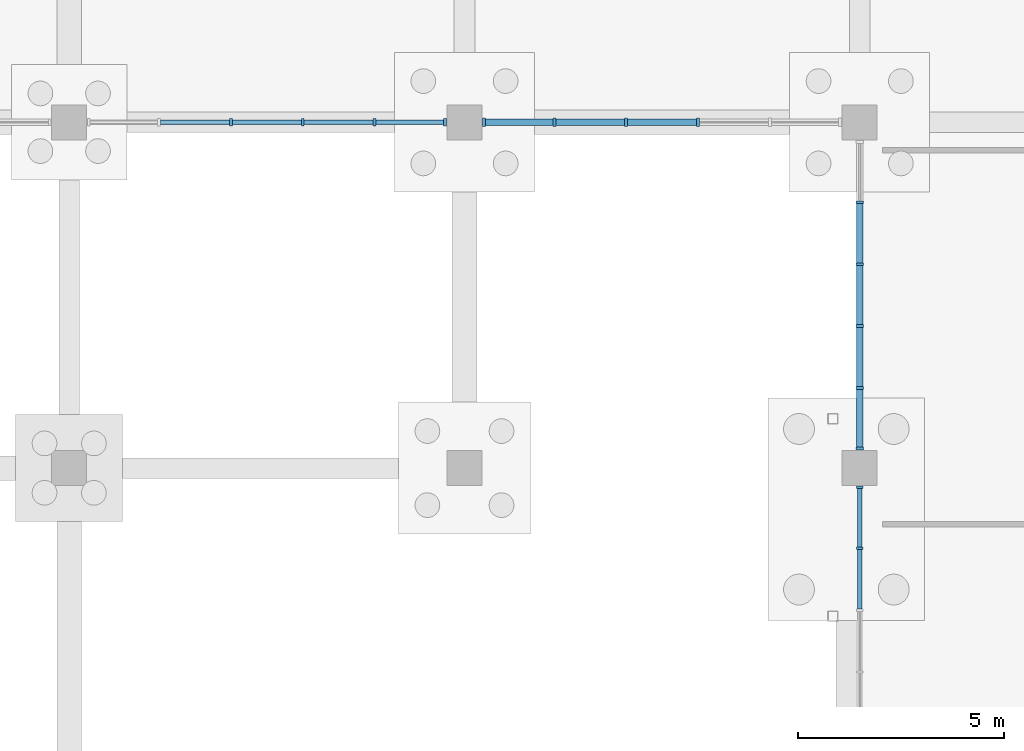
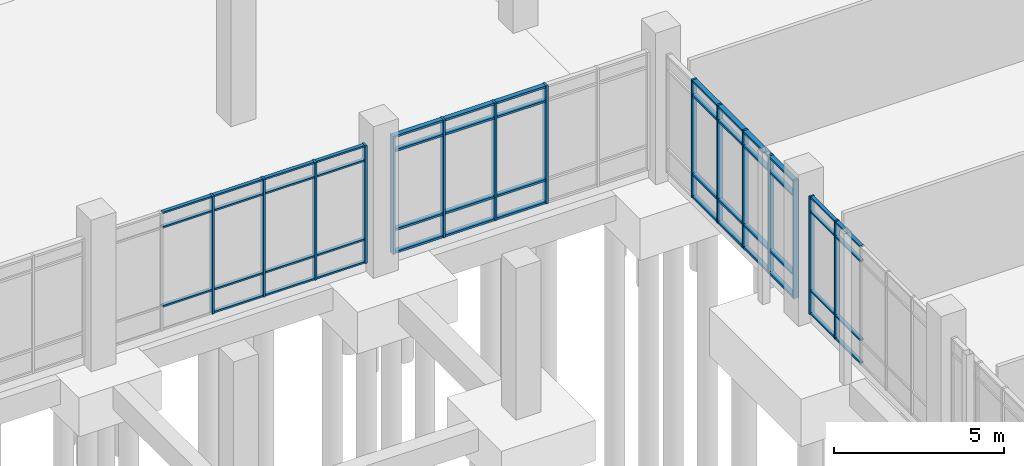
# One storey, part 55 of 136: 66 members, 4 elements without a shape of their own.
"""IFC4 building model written with IfcOpenShell, lengths in metres."""

from ifc_helpers import new_model, si_unit, direction, frame, origin, origin_2d, place, context, subcontext, project, spatial, rectangle, extrude, material, material_profile, profile_set, type_object, element, aggregate, save


model = new_model("IFC4")

# Units and contexts
model_context = context("Model", 3, precision=1e-05, world=origin(), true_north=direction((0.0, 1.0)))
body_context = subcontext(model_context, "Body", "Model", "MODEL_VIEW")
ifc_project = project(units=[si_unit("LENGTHUNIT", "METRE"), si_unit("AREAUNIT", "SQUARE_METRE"), si_unit("VOLUMEUNIT", "CUBIC_METRE"), si_unit("PLANEANGLEUNIT", "RADIAN"), si_unit("MASSUNIT", "GRAM", prefix="KILO")], contexts=[model_context])

# Site, building, storey
site_placement = place(None, origin())
site = spatial("IfcSite", under=ifc_project, at=site_placement, CompositionType="ELEMENT")
building_placement = place(site_placement, origin())
building = spatial("IfcBuilding", under=site, at=building_placement, Name="Oolite Switchyard Hospital", CompositionType="ELEMENT")
storey_placement = place(building_placement, origin())
storey = spatial("IfcBuildingStorey", under=building, at=storey_placement, Name="L00", CompositionType="ELEMENT", Elevation=0.0)

# Curtain wall, members
ifc_material_1 = material(Name="Thermally broken aluminum frame with laminated impact glazing", Category="aluminium")
curtain_wall_type_1 = type_object("IfcCurtainWallType", Name="CW-UNIT-84X51", PredefinedType="USERDEFINED", material=ifc_material_1)
curtain_wall_1_placement = place(storey_placement, origin())
curtain_wall_1 = element("IfcCurtainWall", 1, at=curtain_wall_1_placement, inside=storey, type_object=curtain_wall_type_1, Name="L00 Unitised Curtain Wall 84", ObjectType="UNITISED", PredefinedType="USERDEFINED")
ifc_material_2 = material(Name="Aluminium 6063-T6", Category="aluminium")
ifc_material_profile_1 = material_profile(ifc_material_2, rectangle(XDim=0.159912109375, YDim=0.06005859375, at=origin_2d()), Name="CWM60X160")
ifc_profile_set_1 = profile_set([ifc_material_profile_1], Name="Aluminium 6063-T6")
member_type_1 = type_object("IfcMemberType", Name="CW-MUL-180", PredefinedType="MULLION", material=ifc_profile_set_1)
member_1_placement = place(storey_placement, frame((182.39990234375, 48.4560546875, 0.0), z_axis=(0.0, 0.0, 1.0), x_axis=(-1.0, 0.0, 0.0)))
member_1 = element("IfcMember", 2, at=member_1_placement, type_object=member_type_1, Name="CW-06 mullion 5", PredefinedType="MULLION", context=body_context, shape_type="SweptSolid", body=[
    extrude(rectangle(XDim=0.159912109375, YDim=0.06005859375, at=origin_2d()), origin(), (0.0, 0.0, 1.0), 4.239990234375),
])
member_2_placement = place(storey_placement, frame((182.39990234375, 49.929931640625, 0.0), z_axis=(0.0, 0.0, 1.0), x_axis=(-1.0, 0.0, 0.0)))
member_2 = element("IfcMember", 3, at=member_2_placement, type_object=member_type_1, Name="CW-06 mullion 6", PredefinedType="MULLION", context=body_context, shape_type="SweptSolid", body=[
    extrude(rectangle(XDim=0.159912109375, YDim=0.06005859375, at=origin_2d()), origin(), (0.0, 0.0, 1.0), 4.239990234375),
])

curtain_wall_type_2 = type_object("IfcCurtainWallType", Name="CW-UNIT-96X51", PredefinedType="USERDEFINED", material=ifc_material_1)
curtain_wall_2_placement = place(storey_placement, origin())
curtain_wall_2 = element("IfcCurtainWall", 4, at=curtain_wall_2_placement, inside=storey, type_object=curtain_wall_type_2, Name="L00 Unitised Curtain Wall 22", ObjectType="UNITISED", PredefinedType="USERDEFINED")
ifc_material_profile_2 = material_profile(ifc_material_2, rectangle(XDim=0.179931640625, YDim=0.070068359375, at=origin_2d()), Name="CWM70X180")
ifc_profile_set_2 = profile_set([ifc_material_profile_2], Name="Aluminium 6063-T6")
member_type_2 = type_object("IfcMemberType", Name="CW-MUL-220", PredefinedType="MULLION", material=ifc_profile_set_2)
member_3_placement = place(storey_placement, frame((172.324951171875, 58.800048828125, 0.0), z_axis=(0.0, 0.0, 1.0), x_axis=(0.0, -1.0, 0.0)))
member_3 = element("IfcMember", 5, at=member_3_placement, type_object=member_type_2, Name="CW-01 mullion 1", PredefinedType="MULLION", context=body_context, shape_type="SweptSolid", body=[
    extrude(rectangle(XDim=0.179931640625, YDim=0.070068359375, at=origin_2d()), origin(), (0.0, 0.0, 1.0), 4.239990234375),
])
member_4_placement = place(storey_placement, frame((170.615966796875, 58.800048828125, 0.0), z_axis=(0.0, 0.0, 1.0), x_axis=(0.0, -1.0, 0.0)))
member_4 = element("IfcMember", 6, at=member_4_placement, type_object=member_type_2, Name="CW-01 mullion 2", PredefinedType="MULLION", context=body_context, shape_type="SweptSolid", body=[
    extrude(rectangle(XDim=0.179931640625, YDim=0.070068359375, at=origin_2d()), origin(), (0.0, 0.0, 1.0), 4.239990234375),
])
member_5_placement = place(storey_placement, frame((168.8720703125, 58.800048828125, 0.0), z_axis=(0.0, 0.0, 1.0), x_axis=(0.0, -1.0, 0.0)))
member_5 = element("IfcMember", 7, at=member_5_placement, type_object=member_type_2, Name="CW-01 mullion 3", PredefinedType="MULLION", context=body_context, shape_type="SweptSolid", body=[
    extrude(rectangle(XDim=0.179931640625, YDim=0.070068359375, at=origin_2d()), origin(), (0.0, 0.0, 1.0), 4.239990234375),
])
member_6_placement = place(storey_placement, frame((167.1279296875, 58.800048828125, 0.0), z_axis=(0.0, 0.0, 1.0), x_axis=(0.0, -1.0, 0.0)))
member_6 = element("IfcMember", 8, at=member_6_placement, type_object=member_type_2, Name="CW-01 mullion 4", PredefinedType="MULLION", context=body_context, shape_type="SweptSolid", body=[
    extrude(rectangle(XDim=0.179931640625, YDim=0.070068359375, at=origin_2d()), origin(), (0.0, 0.0, 1.0), 4.239990234375),
])

curtain_wall_3_placement = place(storey_placement, origin())
curtain_wall_3 = element("IfcCurtainWall", 9, at=curtain_wall_3_placement, inside=storey, type_object=curtain_wall_type_1, Name="L00 Unitised Curtain Wall 85", ObjectType="UNITISED", PredefinedType="USERDEFINED")
member_7_placement = place(storey_placement, frame((182.39990234375, 50.875, 0.0), z_axis=(0.0, 0.0, 1.0), x_axis=(-1.0, 0.0, 0.0)))
member_7 = element("IfcMember", 10, at=member_7_placement, type_object=member_type_2, Name="CW-06 mullion 1", PredefinedType="MULLION", context=body_context, shape_type="SweptSolid", body=[
    extrude(rectangle(XDim=0.179931640625, YDim=0.070068359375, at=origin_2d()), origin(), (0.0, 0.0, 1.0), 4.239990234375),
])
member_8_placement = place(storey_placement, frame((182.39990234375, 52.343994140625, 0.0), z_axis=(0.0, 0.0, 1.0), x_axis=(-1.0, 0.0, 0.0)))
member_8 = element("IfcMember", 11, at=member_8_placement, type_object=member_type_2, Name="CW-06 mullion 2", PredefinedType="MULLION", context=body_context, shape_type="SweptSolid", body=[
    extrude(rectangle(XDim=0.179931640625, YDim=0.070068359375, at=origin_2d()), origin(), (0.0, 0.0, 1.0), 4.239990234375),
])
member_9_placement = place(storey_placement, frame((182.39990234375, 53.847900390625, 0.0), z_axis=(0.0, 0.0, 1.0), x_axis=(-1.0, 0.0, 0.0)))
member_9 = element("IfcMember", 12, at=member_9_placement, type_object=member_type_2, Name="CW-06 mullion 3", PredefinedType="MULLION", context=body_context, shape_type="SweptSolid", body=[
    extrude(rectangle(XDim=0.179931640625, YDim=0.070068359375, at=origin_2d()), origin(), (0.0, 0.0, 1.0), 4.239990234375),
])
member_10_placement = place(storey_placement, frame((182.39990234375, 55.35205078125, 0.0), z_axis=(0.0, 0.0, 1.0), x_axis=(-1.0, 0.0, 0.0)))
member_10 = element("IfcMember", 13, at=member_10_placement, type_object=member_type_2, Name="CW-06 mullion 4", PredefinedType="MULLION", context=body_context, shape_type="SweptSolid", body=[
    extrude(rectangle(XDim=0.179931640625, YDim=0.070068359375, at=origin_2d()), origin(), (0.0, 0.0, 1.0), 4.239990234375),
])
member_11_placement = place(storey_placement, frame((182.39990234375, 56.85595703125, 0.0), z_axis=(0.0, 0.0, 1.0), x_axis=(-1.0, 0.0, 0.0)))
member_11 = element("IfcMember", 14, at=member_11_placement, type_object=member_type_2, Name="CW-06 mullion 5", PredefinedType="MULLION", context=body_context, shape_type="SweptSolid", body=[
    extrude(rectangle(XDim=0.179931640625, YDim=0.070068359375, at=origin_2d()), origin(), (0.0, 0.0, 1.0), 4.239990234375),
])

curtain_wall_4_placement = place(storey_placement, origin())
curtain_wall_4 = element("IfcCurtainWall", 15, at=curtain_wall_4_placement, inside=storey, type_object=curtain_wall_type_2, Name="L00 Unitised Curtain Wall 23", ObjectType="UNITISED", PredefinedType="USERDEFINED")
ifc_material_profile_3 = material_profile(ifc_material_2, rectangle(XDim=0.199951171875, YDim=0.074951171875, at=origin_2d()), Name="CWM75X200")
ifc_profile_set_3 = profile_set([ifc_material_profile_3], Name="Aluminium 6063-T6")
member_type_3 = type_object("IfcMemberType", Name="CW-MUL-260", PredefinedType="MULLION", material=ifc_profile_set_3)
member_12_placement = place(storey_placement, frame((178.471923828125, 58.800048828125, 0.0), z_axis=(0.0, 0.0, 1.0), x_axis=(0.0, -1.0, 0.0)))
member_12 = element("IfcMember", 16, at=member_12_placement, type_object=member_type_3, Name="CW-01 mullion 3", PredefinedType="MULLION", context=body_context, shape_type="SweptSolid", body=[
    extrude(rectangle(XDim=0.199951171875, YDim=0.074951171875, at=origin_2d()), origin(), (0.0, 0.0, 1.0), 4.239990234375),
])
member_13_placement = place(storey_placement, frame((176.72802734375, 58.800048828125, 0.0), z_axis=(0.0, 0.0, 1.0), x_axis=(0.0, -1.0, 0.0)))
member_13 = element("IfcMember", 17, at=member_13_placement, type_object=member_type_3, Name="CW-01 mullion 4", PredefinedType="MULLION", context=body_context, shape_type="SweptSolid", body=[
    extrude(rectangle(XDim=0.199951171875, YDim=0.074951171875, at=origin_2d()), origin(), (0.0, 0.0, 1.0), 4.239990234375),
])
member_14_placement = place(storey_placement, frame((174.98388671875, 58.800048828125, 0.0), z_axis=(0.0, 0.0, 1.0), x_axis=(0.0, -1.0, 0.0)))
member_14 = element("IfcMember", 18, at=member_14_placement, type_object=member_type_3, Name="CW-01 mullion 5", PredefinedType="MULLION", context=body_context, shape_type="SweptSolid", body=[
    extrude(rectangle(XDim=0.199951171875, YDim=0.074951171875, at=origin_2d()), origin(), (0.0, 0.0, 1.0), 4.239990234375),
])
member_15_placement = place(storey_placement, frame((173.277587890625, 58.800048828125, 0.0), z_axis=(0.0, 0.0, 1.0), x_axis=(0.0, -1.0, 0.0)))
member_15 = element("IfcMember", 19, at=member_15_placement, type_object=member_type_3, Name="CW-01 mullion 6", PredefinedType="MULLION", context=body_context, shape_type="SweptSolid", body=[
    extrude(rectangle(XDim=0.199951171875, YDim=0.074951171875, at=origin_2d()), origin(), (0.0, 0.0, 1.0), 4.239990234375),
])

# Member
ifc_material_profile_4 = material_profile(ifc_material_2, rectangle(XDim=0.1201171875, YDim=0.06005859375, at=origin_2d()), Name="CWT60X120")
ifc_profile_set_4 = profile_set([ifc_material_profile_4], Name="Aluminium 6063-T6")
member_type_4 = type_object("IfcMemberType", Name="CW-TRN-150", PredefinedType="USERDEFINED", material=ifc_profile_set_4)
member_16_placement = place(storey_placement, frame((172.2900390625, 58.800048828125, 0.030029296875), z_axis=(-1.0, 0.0, 0.0), x_axis=(0.0, -1.0, 0.0)))
member_16 = element("IfcMember", 20, at=member_16_placement, type_object=member_type_4, Name="CW-01 transom 1.1", ObjectType="TRANSOM", PredefinedType="USERDEFINED", context=body_context, shape_type="SweptSolid", body=[
    extrude(rectangle(XDim=0.1201171875, YDim=0.06005859375, at=origin_2d()), origin(), (0.0, 0.0, 1.0), 1.63916015625),
])

member_17_placement = place(storey_placement, frame((172.2900390625, 58.800048828125, 0.85009765625), z_axis=(-1.0, 0.0, 0.0), x_axis=(0.0, -1.0, 0.0)))
member_17 = element("IfcMember", 21, at=member_17_placement, type_object=member_type_4, Name="CW-01 transom 1.2", ObjectType="TRANSOM", PredefinedType="USERDEFINED", context=body_context, shape_type="SweptSolid", body=[
    extrude(rectangle(XDim=0.1201171875, YDim=0.06005859375, at=origin_2d()), origin(), (0.0, 0.0, 1.0), 1.63916015625),
])

member_18_placement = place(storey_placement, frame((172.2900390625, 58.800048828125, 3.68994140625), z_axis=(-1.0, 0.0, 0.0), x_axis=(0.0, -1.0, 0.0)))
member_18 = element("IfcMember", 22, at=member_18_placement, type_object=member_type_4, Name="CW-01 transom 1.3", ObjectType="TRANSOM", PredefinedType="USERDEFINED", context=body_context, shape_type="SweptSolid", body=[
    extrude(rectangle(XDim=0.1201171875, YDim=0.06005859375, at=origin_2d()), origin(), (0.0, 0.0, 1.0), 1.63916015625),
])

member_19_placement = place(storey_placement, frame((172.2900390625, 58.800048828125, 4.2099609375), z_axis=(-1.0, 0.0, 0.0), x_axis=(0.0, -1.0, 0.0)))
member_19 = element("IfcMember", 23, at=member_19_placement, type_object=member_type_4, Name="CW-01 transom 1.4", ObjectType="TRANSOM", PredefinedType="USERDEFINED", context=body_context, shape_type="SweptSolid", body=[
    extrude(rectangle(XDim=0.1201171875, YDim=0.06005859375, at=origin_2d()), origin(), (0.0, 0.0, 1.0), 1.63916015625),
])

member_20_placement = place(storey_placement, frame((170.5810546875, 58.800048828125, 0.030029296875), z_axis=(-1.0, 0.0, 0.0), x_axis=(0.0, -1.0, 0.0)))
member_20 = element("IfcMember", 24, at=member_20_placement, type_object=member_type_4, Name="CW-01 transom 2.1", ObjectType="TRANSOM", PredefinedType="USERDEFINED", context=body_context, shape_type="SweptSolid", body=[
    extrude(rectangle(XDim=0.1201171875, YDim=0.06005859375, at=origin_2d()), origin(), (0.0, 0.0, 1.0), 1.674072265625),
])

member_21_placement = place(storey_placement, frame((170.5810546875, 58.800048828125, 0.85009765625), z_axis=(-1.0, 0.0, 0.0), x_axis=(0.0, -1.0, 0.0)))
member_21 = element("IfcMember", 25, at=member_21_placement, type_object=member_type_4, Name="CW-01 transom 2.2", ObjectType="TRANSOM", PredefinedType="USERDEFINED", context=body_context, shape_type="SweptSolid", body=[
    extrude(rectangle(XDim=0.1201171875, YDim=0.06005859375, at=origin_2d()), origin(), (0.0, 0.0, 1.0), 1.674072265625),
])

member_22_placement = place(storey_placement, frame((170.5810546875, 58.800048828125, 3.68994140625), z_axis=(-1.0, 0.0, 0.0), x_axis=(0.0, -1.0, 0.0)))
member_22 = element("IfcMember", 26, at=member_22_placement, type_object=member_type_4, Name="CW-01 transom 2.3", ObjectType="TRANSOM", PredefinedType="USERDEFINED", context=body_context, shape_type="SweptSolid", body=[
    extrude(rectangle(XDim=0.1201171875, YDim=0.06005859375, at=origin_2d()), origin(), (0.0, 0.0, 1.0), 1.674072265625),
])

member_23_placement = place(storey_placement, frame((170.5810546875, 58.800048828125, 4.2099609375), z_axis=(-1.0, 0.0, 0.0), x_axis=(0.0, -1.0, 0.0)))
member_23 = element("IfcMember", 27, at=member_23_placement, type_object=member_type_4, Name="CW-01 transom 2.4", ObjectType="TRANSOM", PredefinedType="USERDEFINED", context=body_context, shape_type="SweptSolid", body=[
    extrude(rectangle(XDim=0.1201171875, YDim=0.06005859375, at=origin_2d()), origin(), (0.0, 0.0, 1.0), 1.674072265625),
])

member_24_placement = place(storey_placement, frame((168.8369140625, 58.800048828125, 0.030029296875), z_axis=(-1.0, 0.0, 0.0), x_axis=(0.0, -1.0, 0.0)))
member_24 = element("IfcMember", 28, at=member_24_placement, type_object=member_type_4, Name="CW-01 transom 3.1", ObjectType="TRANSOM", PredefinedType="USERDEFINED", context=body_context, shape_type="SweptSolid", body=[
    extrude(rectangle(XDim=0.1201171875, YDim=0.06005859375, at=origin_2d()), origin(), (0.0, 0.0, 1.0), 1.673828125),
])

member_25_placement = place(storey_placement, frame((168.8369140625, 58.800048828125, 0.85009765625), z_axis=(-1.0, 0.0, 0.0), x_axis=(0.0, -1.0, 0.0)))
member_25 = element("IfcMember", 29, at=member_25_placement, type_object=member_type_4, Name="CW-01 transom 3.2", ObjectType="TRANSOM", PredefinedType="USERDEFINED", context=body_context, shape_type="SweptSolid", body=[
    extrude(rectangle(XDim=0.1201171875, YDim=0.06005859375, at=origin_2d()), origin(), (0.0, 0.0, 1.0), 1.673828125),
])

member_26_placement = place(storey_placement, frame((168.8369140625, 58.800048828125, 3.68994140625), z_axis=(-1.0, 0.0, 0.0), x_axis=(0.0, -1.0, 0.0)))
member_26 = element("IfcMember", 30, at=member_26_placement, type_object=member_type_4, Name="CW-01 transom 3.3", ObjectType="TRANSOM", PredefinedType="USERDEFINED", context=body_context, shape_type="SweptSolid", body=[
    extrude(rectangle(XDim=0.1201171875, YDim=0.06005859375, at=origin_2d()), origin(), (0.0, 0.0, 1.0), 1.673828125),
])

member_27_placement = place(storey_placement, frame((168.8369140625, 58.800048828125, 4.2099609375), z_axis=(-1.0, 0.0, 0.0), x_axis=(0.0, -1.0, 0.0)))
member_27 = element("IfcMember", 31, at=member_27_placement, type_object=member_type_4, Name="CW-01 transom 3.4", ObjectType="TRANSOM", PredefinedType="USERDEFINED", context=body_context, shape_type="SweptSolid", body=[
    extrude(rectangle(XDim=0.1201171875, YDim=0.06005859375, at=origin_2d()), origin(), (0.0, 0.0, 1.0), 1.673828125),
])

member_28_placement = place(storey_placement, frame((167.093017578125, 58.800048828125, 0.85009765625), z_axis=(-1.0, 0.0, 0.0), x_axis=(0.0, -1.0, 0.0)))
member_28 = element("IfcMember", 32, at=member_28_placement, type_object=member_type_4, Name="CW-01 transom 4.2", ObjectType="TRANSOM", PredefinedType="USERDEFINED", context=body_context, shape_type="SweptSolid", body=[
    extrude(rectangle(XDim=0.1201171875, YDim=0.06005859375, at=origin_2d()), origin(), (0.0, 0.0, 1.0), 1.674072265625),
])

member_29_placement = place(storey_placement, frame((167.093017578125, 58.800048828125, 3.68994140625), z_axis=(-1.0, 0.0, 0.0), x_axis=(0.0, -1.0, 0.0)))
member_29 = element("IfcMember", 33, at=member_29_placement, type_object=member_type_4, Name="CW-01 transom 4.3", ObjectType="TRANSOM", PredefinedType="USERDEFINED", context=body_context, shape_type="SweptSolid", body=[
    extrude(rectangle(XDim=0.1201171875, YDim=0.06005859375, at=origin_2d()), origin(), (0.0, 0.0, 1.0), 1.674072265625),
])

member_30_placement = place(storey_placement, frame((167.093017578125, 58.800048828125, 4.2099609375), z_axis=(-1.0, 0.0, 0.0), x_axis=(0.0, -1.0, 0.0)))
member_30 = element("IfcMember", 34, at=member_30_placement, type_object=member_type_4, Name="CW-01 transom 4.4", ObjectType="TRANSOM", PredefinedType="USERDEFINED", context=body_context, shape_type="SweptSolid", body=[
    extrude(rectangle(XDim=0.1201171875, YDim=0.06005859375, at=origin_2d()), origin(), (0.0, 0.0, 1.0), 1.674072265625),
])

aggregate(curtain_wall_2, [member_3, member_4, member_5, member_6, member_16, member_17, member_18, member_19, member_20, member_21, member_22, member_23, member_24, member_25, member_26, member_27, member_28, member_29, member_30])

member_31_placement = place(storey_placement, frame((182.39990234375, 46.98193359375, 0.030029296875), z_axis=(0.0, 1.0, 0.0), x_axis=(-1.0, 0.0, 0.0)))
member_31 = element("IfcMember", 35, at=member_31_placement, type_object=member_type_4, Name="CW-06 transom 4.1", ObjectType="TRANSOM", PredefinedType="USERDEFINED", context=body_context, shape_type="SweptSolid", body=[
    extrude(rectangle(XDim=0.1201171875, YDim=0.06005859375, at=origin_2d()), origin(), (0.0, 0.0, 1.0), 1.444091796875),
])

member_32_placement = place(storey_placement, frame((182.39990234375, 46.98193359375, 0.85009765625), z_axis=(0.0, 1.0, 0.0), x_axis=(-1.0, 0.0, 0.0)))
member_32 = element("IfcMember", 36, at=member_32_placement, type_object=member_type_4, Name="CW-06 transom 4.2", ObjectType="TRANSOM", PredefinedType="USERDEFINED", context=body_context, shape_type="SweptSolid", body=[
    extrude(rectangle(XDim=0.1201171875, YDim=0.06005859375, at=origin_2d()), origin(), (0.0, 0.0, 1.0), 1.444091796875),
])

member_33_placement = place(storey_placement, frame((182.39990234375, 46.98193359375, 3.68994140625), z_axis=(0.0, 1.0, 0.0), x_axis=(-1.0, 0.0, 0.0)))
member_33 = element("IfcMember", 37, at=member_33_placement, type_object=member_type_4, Name="CW-06 transom 4.3", ObjectType="TRANSOM", PredefinedType="USERDEFINED", context=body_context, shape_type="SweptSolid", body=[
    extrude(rectangle(XDim=0.1201171875, YDim=0.06005859375, at=origin_2d()), origin(), (0.0, 0.0, 1.0), 1.444091796875),
])

member_34_placement = place(storey_placement, frame((182.39990234375, 46.98193359375, 4.2099609375), z_axis=(0.0, 1.0, 0.0), x_axis=(-1.0, 0.0, 0.0)))
member_34 = element("IfcMember", 38, at=member_34_placement, type_object=member_type_4, Name="CW-06 transom 4.4", ObjectType="TRANSOM", PredefinedType="USERDEFINED", context=body_context, shape_type="SweptSolid", body=[
    extrude(rectangle(XDim=0.1201171875, YDim=0.06005859375, at=origin_2d()), origin(), (0.0, 0.0, 1.0), 1.444091796875),
])

member_35_placement = place(storey_placement, frame((182.39990234375, 48.486083984375, 0.030029296875), z_axis=(0.0, 1.0, 0.0), x_axis=(-1.0, 0.0, 0.0)))
member_35 = element("IfcMember", 39, at=member_35_placement, type_object=member_type_4, Name="CW-06 transom 5.1", ObjectType="TRANSOM", PredefinedType="USERDEFINED", context=body_context, shape_type="SweptSolid", body=[
    extrude(rectangle(XDim=0.1201171875, YDim=0.06005859375, at=origin_2d()), origin(), (0.0, 0.0, 1.0), 1.413818359375),
])

member_36_placement = place(storey_placement, frame((182.39990234375, 48.486083984375, 0.85009765625), z_axis=(0.0, 1.0, 0.0), x_axis=(-1.0, 0.0, 0.0)))
member_36 = element("IfcMember", 40, at=member_36_placement, type_object=member_type_4, Name="CW-06 transom 5.2", ObjectType="TRANSOM", PredefinedType="USERDEFINED", context=body_context, shape_type="SweptSolid", body=[
    extrude(rectangle(XDim=0.1201171875, YDim=0.06005859375, at=origin_2d()), origin(), (0.0, 0.0, 1.0), 1.413818359375),
])

member_37_placement = place(storey_placement, frame((182.39990234375, 48.486083984375, 3.68994140625), z_axis=(0.0, 1.0, 0.0), x_axis=(-1.0, 0.0, 0.0)))
member_37 = element("IfcMember", 41, at=member_37_placement, type_object=member_type_4, Name="CW-06 transom 5.3", ObjectType="TRANSOM", PredefinedType="USERDEFINED", context=body_context, shape_type="SweptSolid", body=[
    extrude(rectangle(XDim=0.1201171875, YDim=0.06005859375, at=origin_2d()), origin(), (0.0, 0.0, 1.0), 1.413818359375),
])

member_38_placement = place(storey_placement, frame((182.39990234375, 48.486083984375, 4.2099609375), z_axis=(0.0, 1.0, 0.0), x_axis=(-1.0, 0.0, 0.0)))
member_38 = element("IfcMember", 42, at=member_38_placement, type_object=member_type_4, Name="CW-06 transom 5.4", ObjectType="TRANSOM", PredefinedType="USERDEFINED", context=body_context, shape_type="SweptSolid", body=[
    extrude(rectangle(XDim=0.1201171875, YDim=0.06005859375, at=origin_2d()), origin(), (0.0, 0.0, 1.0), 1.413818359375),
])

aggregate(curtain_wall_1, [member_1, member_2, member_31, member_32, member_33, member_34, member_35, member_36, member_37, member_38])

ifc_material_profile_5 = material_profile(ifc_material_2, rectangle(XDim=0.159912109375, YDim=0.074951171875, at=origin_2d()), Name="CWT75X160")
ifc_profile_set_5 = profile_set([ifc_material_profile_5], Name="Aluminium 6063-T6")
member_type_5 = type_object("IfcMemberType", Name="CW-TRN-180", PredefinedType="USERDEFINED", material=ifc_profile_set_5)
member_39_placement = place(storey_placement, frame((178.4345703125, 58.800048828125, 0.03759765625), z_axis=(-1.0, 0.0, 0.0), x_axis=(0.0, -1.0, 0.0)))
member_39 = element("IfcMember", 43, at=member_39_placement, type_object=member_type_5, Name="CW-01 transom 3.1", ObjectType="TRANSOM", PredefinedType="USERDEFINED", context=body_context, shape_type="SweptSolid", body=[
    extrude(rectangle(XDim=0.159912109375, YDim=0.074951171875, at=origin_2d()), origin(), (0.0, 0.0, 1.0), 1.669189453125),
])

member_40_placement = place(storey_placement, frame((178.4345703125, 58.800048828125, 0.85009765625), z_axis=(-1.0, 0.0, 0.0), x_axis=(0.0, -1.0, 0.0)))
member_40 = element("IfcMember", 44, at=member_40_placement, type_object=member_type_5, Name="CW-01 transom 3.2", ObjectType="TRANSOM", PredefinedType="USERDEFINED", context=body_context, shape_type="SweptSolid", body=[
    extrude(rectangle(XDim=0.159912109375, YDim=0.074951171875, at=origin_2d()), origin(), (0.0, 0.0, 1.0), 1.669189453125),
])

member_41_placement = place(storey_placement, frame((178.4345703125, 58.800048828125, 3.68994140625), z_axis=(-1.0, 0.0, 0.0), x_axis=(0.0, -1.0, 0.0)))
member_41 = element("IfcMember", 45, at=member_41_placement, type_object=member_type_5, Name="CW-01 transom 3.3", ObjectType="TRANSOM", PredefinedType="USERDEFINED", context=body_context, shape_type="SweptSolid", body=[
    extrude(rectangle(XDim=0.159912109375, YDim=0.074951171875, at=origin_2d()), origin(), (0.0, 0.0, 1.0), 1.669189453125),
])

member_42_placement = place(storey_placement, frame((178.4345703125, 58.800048828125, 4.202392578125), z_axis=(-1.0, 0.0, 0.0), x_axis=(0.0, -1.0, 0.0)))
member_42 = element("IfcMember", 46, at=member_42_placement, type_object=member_type_5, Name="CW-01 transom 3.4", ObjectType="TRANSOM", PredefinedType="USERDEFINED", context=body_context, shape_type="SweptSolid", body=[
    extrude(rectangle(XDim=0.159912109375, YDim=0.074951171875, at=origin_2d()), origin(), (0.0, 0.0, 1.0), 1.669189453125),
])

member_43_placement = place(storey_placement, frame((176.6904296875, 58.800048828125, 0.03759765625), z_axis=(-1.0, 0.0, 0.0), x_axis=(0.0, -1.0, 0.0)))
member_43 = element("IfcMember", 47, at=member_43_placement, type_object=member_type_5, Name="CW-01 transom 4.1", ObjectType="TRANSOM", PredefinedType="USERDEFINED", context=body_context, shape_type="SweptSolid", body=[
    extrude(rectangle(XDim=0.159912109375, YDim=0.074951171875, at=origin_2d()), origin(), (0.0, 0.0, 1.0), 1.6689453125),
])

member_44_placement = place(storey_placement, frame((176.6904296875, 58.800048828125, 0.85009765625), z_axis=(-1.0, 0.0, 0.0), x_axis=(0.0, -1.0, 0.0)))
member_44 = element("IfcMember", 48, at=member_44_placement, type_object=member_type_5, Name="CW-01 transom 4.2", ObjectType="TRANSOM", PredefinedType="USERDEFINED", context=body_context, shape_type="SweptSolid", body=[
    extrude(rectangle(XDim=0.159912109375, YDim=0.074951171875, at=origin_2d()), origin(), (0.0, 0.0, 1.0), 1.6689453125),
])

member_45_placement = place(storey_placement, frame((176.6904296875, 58.800048828125, 3.68994140625), z_axis=(-1.0, 0.0, 0.0), x_axis=(0.0, -1.0, 0.0)))
member_45 = element("IfcMember", 49, at=member_45_placement, type_object=member_type_5, Name="CW-01 transom 4.3", ObjectType="TRANSOM", PredefinedType="USERDEFINED", context=body_context, shape_type="SweptSolid", body=[
    extrude(rectangle(XDim=0.159912109375, YDim=0.074951171875, at=origin_2d()), origin(), (0.0, 0.0, 1.0), 1.6689453125),
])

member_46_placement = place(storey_placement, frame((176.6904296875, 58.800048828125, 4.202392578125), z_axis=(-1.0, 0.0, 0.0), x_axis=(0.0, -1.0, 0.0)))
member_46 = element("IfcMember", 50, at=member_46_placement, type_object=member_type_5, Name="CW-01 transom 4.4", ObjectType="TRANSOM", PredefinedType="USERDEFINED", context=body_context, shape_type="SweptSolid", body=[
    extrude(rectangle(XDim=0.159912109375, YDim=0.074951171875, at=origin_2d()), origin(), (0.0, 0.0, 1.0), 1.6689453125),
])

member_47_placement = place(storey_placement, frame((174.946533203125, 58.800048828125, 0.03759765625), z_axis=(-1.0, 0.0, 0.0), x_axis=(0.0, -1.0, 0.0)))
member_47 = element("IfcMember", 51, at=member_47_placement, type_object=member_type_5, Name="CW-01 transom 5.1", ObjectType="TRANSOM", PredefinedType="USERDEFINED", context=body_context, shape_type="SweptSolid", body=[
    extrude(rectangle(XDim=0.159912109375, YDim=0.074951171875, at=origin_2d()), origin(), (0.0, 0.0, 1.0), 1.631591796875),
])

member_48_placement = place(storey_placement, frame((174.946533203125, 58.800048828125, 0.85009765625), z_axis=(-1.0, 0.0, 0.0), x_axis=(0.0, -1.0, 0.0)))
member_48 = element("IfcMember", 52, at=member_48_placement, type_object=member_type_5, Name="CW-01 transom 5.2", ObjectType="TRANSOM", PredefinedType="USERDEFINED", context=body_context, shape_type="SweptSolid", body=[
    extrude(rectangle(XDim=0.159912109375, YDim=0.074951171875, at=origin_2d()), origin(), (0.0, 0.0, 1.0), 1.631591796875),
])

member_49_placement = place(storey_placement, frame((174.946533203125, 58.800048828125, 3.68994140625), z_axis=(-1.0, 0.0, 0.0), x_axis=(0.0, -1.0, 0.0)))
member_49 = element("IfcMember", 53, at=member_49_placement, type_object=member_type_5, Name="CW-01 transom 5.3", ObjectType="TRANSOM", PredefinedType="USERDEFINED", context=body_context, shape_type="SweptSolid", body=[
    extrude(rectangle(XDim=0.159912109375, YDim=0.074951171875, at=origin_2d()), origin(), (0.0, 0.0, 1.0), 1.631591796875),
])

member_50_placement = place(storey_placement, frame((174.946533203125, 58.800048828125, 4.202392578125), z_axis=(-1.0, 0.0, 0.0), x_axis=(0.0, -1.0, 0.0)))
member_50 = element("IfcMember", 54, at=member_50_placement, type_object=member_type_5, Name="CW-01 transom 5.4", ObjectType="TRANSOM", PredefinedType="USERDEFINED", context=body_context, shape_type="SweptSolid", body=[
    extrude(rectangle(XDim=0.159912109375, YDim=0.074951171875, at=origin_2d()), origin(), (0.0, 0.0, 1.0), 1.631591796875),
])

aggregate(curtain_wall_4, [member_12, member_13, member_14, member_15, member_39, member_40, member_41, member_42, member_43, member_44, member_45, member_46, member_47, member_48, member_49, member_50])

member_51_placement = place(storey_placement, frame((182.39990234375, 50.909912109375, 0.03759765625), z_axis=(0.0, 1.0, 0.0), x_axis=(-1.0, 0.0, 0.0)))
member_51 = element("IfcMember", 55, at=member_51_placement, type_object=member_type_5, Name="CW-06 transom 1.1", ObjectType="TRANSOM", PredefinedType="USERDEFINED", context=body_context, shape_type="SweptSolid", body=[
    extrude(rectangle(XDim=0.159912109375, YDim=0.074951171875, at=origin_2d()), origin(), (0.0, 0.0, 1.0), 1.399169921875),
])

member_52_placement = place(storey_placement, frame((182.39990234375, 50.909912109375, 0.85009765625), z_axis=(0.0, 1.0, 0.0), x_axis=(-1.0, 0.0, 0.0)))
member_52 = element("IfcMember", 56, at=member_52_placement, type_object=member_type_5, Name="CW-06 transom 1.2", ObjectType="TRANSOM", PredefinedType="USERDEFINED", context=body_context, shape_type="SweptSolid", body=[
    extrude(rectangle(XDim=0.159912109375, YDim=0.074951171875, at=origin_2d()), origin(), (0.0, 0.0, 1.0), 1.399169921875),
])

member_53_placement = place(storey_placement, frame((182.39990234375, 50.909912109375, 3.68994140625), z_axis=(0.0, 1.0, 0.0), x_axis=(-1.0, 0.0, 0.0)))
member_53 = element("IfcMember", 57, at=member_53_placement, type_object=member_type_5, Name="CW-06 transom 1.3", ObjectType="TRANSOM", PredefinedType="USERDEFINED", context=body_context, shape_type="SweptSolid", body=[
    extrude(rectangle(XDim=0.159912109375, YDim=0.074951171875, at=origin_2d()), origin(), (0.0, 0.0, 1.0), 1.399169921875),
])

member_54_placement = place(storey_placement, frame((182.39990234375, 50.909912109375, 4.202392578125), z_axis=(0.0, 1.0, 0.0), x_axis=(-1.0, 0.0, 0.0)))
member_54 = element("IfcMember", 58, at=member_54_placement, type_object=member_type_5, Name="CW-06 transom 1.4", ObjectType="TRANSOM", PredefinedType="USERDEFINED", context=body_context, shape_type="SweptSolid", body=[
    extrude(rectangle(XDim=0.159912109375, YDim=0.074951171875, at=origin_2d()), origin(), (0.0, 0.0, 1.0), 1.399169921875),
])

member_55_placement = place(storey_placement, frame((182.39990234375, 52.37890625, 0.03759765625), z_axis=(0.0, 1.0, 0.0), x_axis=(-1.0, 0.0, 0.0)))
member_55 = element("IfcMember", 59, at=member_55_placement, type_object=member_type_5, Name="CW-06 transom 2.1", ObjectType="TRANSOM", PredefinedType="USERDEFINED", context=body_context, shape_type="SweptSolid", body=[
    extrude(rectangle(XDim=0.159912109375, YDim=0.074951171875, at=origin_2d()), origin(), (0.0, 0.0, 1.0), 1.43408203125),
])

member_56_placement = place(storey_placement, frame((182.39990234375, 52.37890625, 0.85009765625), z_axis=(0.0, 1.0, 0.0), x_axis=(-1.0, 0.0, 0.0)))
member_56 = element("IfcMember", 60, at=member_56_placement, type_object=member_type_5, Name="CW-06 transom 2.2", ObjectType="TRANSOM", PredefinedType="USERDEFINED", context=body_context, shape_type="SweptSolid", body=[
    extrude(rectangle(XDim=0.159912109375, YDim=0.074951171875, at=origin_2d()), origin(), (0.0, 0.0, 1.0), 1.43408203125),
])

member_57_placement = place(storey_placement, frame((182.39990234375, 52.37890625, 3.68994140625), z_axis=(0.0, 1.0, 0.0), x_axis=(-1.0, 0.0, 0.0)))
member_57 = element("IfcMember", 61, at=member_57_placement, type_object=member_type_5, Name="CW-06 transom 2.3", ObjectType="TRANSOM", PredefinedType="USERDEFINED", context=body_context, shape_type="SweptSolid", body=[
    extrude(rectangle(XDim=0.159912109375, YDim=0.074951171875, at=origin_2d()), origin(), (0.0, 0.0, 1.0), 1.43408203125),
])

member_58_placement = place(storey_placement, frame((182.39990234375, 52.37890625, 4.202392578125), z_axis=(0.0, 1.0, 0.0), x_axis=(-1.0, 0.0, 0.0)))
member_58 = element("IfcMember", 62, at=member_58_placement, type_object=member_type_5, Name="CW-06 transom 2.4", ObjectType="TRANSOM", PredefinedType="USERDEFINED", context=body_context, shape_type="SweptSolid", body=[
    extrude(rectangle(XDim=0.159912109375, YDim=0.074951171875, at=origin_2d()), origin(), (0.0, 0.0, 1.0), 1.43408203125),
])

member_59_placement = place(storey_placement, frame((182.39990234375, 53.883056640625, 0.03759765625), z_axis=(0.0, 1.0, 0.0), x_axis=(-1.0, 0.0, 0.0)))
member_59 = element("IfcMember", 63, at=member_59_placement, type_object=member_type_5, Name="CW-06 transom 3.1", ObjectType="TRANSOM", PredefinedType="USERDEFINED", context=body_context, shape_type="SweptSolid", body=[
    extrude(rectangle(XDim=0.159912109375, YDim=0.074951171875, at=origin_2d()), origin(), (0.0, 0.0, 1.0), 1.433837890625),
])

member_60_placement = place(storey_placement, frame((182.39990234375, 53.883056640625, 0.85009765625), z_axis=(0.0, 1.0, 0.0), x_axis=(-1.0, 0.0, 0.0)))
member_60 = element("IfcMember", 64, at=member_60_placement, type_object=member_type_5, Name="CW-06 transom 3.2", ObjectType="TRANSOM", PredefinedType="USERDEFINED", context=body_context, shape_type="SweptSolid", body=[
    extrude(rectangle(XDim=0.159912109375, YDim=0.074951171875, at=origin_2d()), origin(), (0.0, 0.0, 1.0), 1.433837890625),
])

member_61_placement = place(storey_placement, frame((182.39990234375, 53.883056640625, 3.68994140625), z_axis=(0.0, 1.0, 0.0), x_axis=(-1.0, 0.0, 0.0)))
member_61 = element("IfcMember", 65, at=member_61_placement, type_object=member_type_5, Name="CW-06 transom 3.3", ObjectType="TRANSOM", PredefinedType="USERDEFINED", context=body_context, shape_type="SweptSolid", body=[
    extrude(rectangle(XDim=0.159912109375, YDim=0.074951171875, at=origin_2d()), origin(), (0.0, 0.0, 1.0), 1.433837890625),
])

member_62_placement = place(storey_placement, frame((182.39990234375, 53.883056640625, 4.202392578125), z_axis=(0.0, 1.0, 0.0), x_axis=(-1.0, 0.0, 0.0)))
member_62 = element("IfcMember", 66, at=member_62_placement, type_object=member_type_5, Name="CW-06 transom 3.4", ObjectType="TRANSOM", PredefinedType="USERDEFINED", context=body_context, shape_type="SweptSolid", body=[
    extrude(rectangle(XDim=0.159912109375, YDim=0.074951171875, at=origin_2d()), origin(), (0.0, 0.0, 1.0), 1.433837890625),
])

member_63_placement = place(storey_placement, frame((182.39990234375, 55.386962890625, 0.03759765625), z_axis=(0.0, 1.0, 0.0), x_axis=(-1.0, 0.0, 0.0)))
member_63 = element("IfcMember", 67, at=member_63_placement, type_object=member_type_5, Name="CW-06 transom 4.1", ObjectType="TRANSOM", PredefinedType="USERDEFINED", context=body_context, shape_type="SweptSolid", body=[
    extrude(rectangle(XDim=0.159912109375, YDim=0.074951171875, at=origin_2d()), origin(), (0.0, 0.0, 1.0), 1.43408203125),
])

member_64_placement = place(storey_placement, frame((182.39990234375, 55.386962890625, 0.85009765625), z_axis=(0.0, 1.0, 0.0), x_axis=(-1.0, 0.0, 0.0)))
member_64 = element("IfcMember", 68, at=member_64_placement, type_object=member_type_5, Name="CW-06 transom 4.2", ObjectType="TRANSOM", PredefinedType="USERDEFINED", context=body_context, shape_type="SweptSolid", body=[
    extrude(rectangle(XDim=0.159912109375, YDim=0.074951171875, at=origin_2d()), origin(), (0.0, 0.0, 1.0), 1.43408203125),
])

member_65_placement = place(storey_placement, frame((182.39990234375, 55.386962890625, 3.68994140625), z_axis=(0.0, 1.0, 0.0), x_axis=(-1.0, 0.0, 0.0)))
member_65 = element("IfcMember", 69, at=member_65_placement, type_object=member_type_5, Name="CW-06 transom 4.3", ObjectType="TRANSOM", PredefinedType="USERDEFINED", context=body_context, shape_type="SweptSolid", body=[
    extrude(rectangle(XDim=0.159912109375, YDim=0.074951171875, at=origin_2d()), origin(), (0.0, 0.0, 1.0), 1.43408203125),
])

member_66_placement = place(storey_placement, frame((182.39990234375, 55.386962890625, 4.202392578125), z_axis=(0.0, 1.0, 0.0), x_axis=(-1.0, 0.0, 0.0)))
member_66 = element("IfcMember", 70, at=member_66_placement, type_object=member_type_5, Name="CW-06 transom 4.4", ObjectType="TRANSOM", PredefinedType="USERDEFINED", context=body_context, shape_type="SweptSolid", body=[
    extrude(rectangle(XDim=0.159912109375, YDim=0.074951171875, at=origin_2d()), origin(), (0.0, 0.0, 1.0), 1.43408203125),
])

aggregate(curtain_wall_3, [member_7, member_8, member_9, member_10, member_11, member_51, member_52, member_53, member_54, member_55, member_56, member_57, member_58, member_59, member_60, member_61, member_62, member_63, member_64, member_65, member_66])

save(model, "model.ifc")
